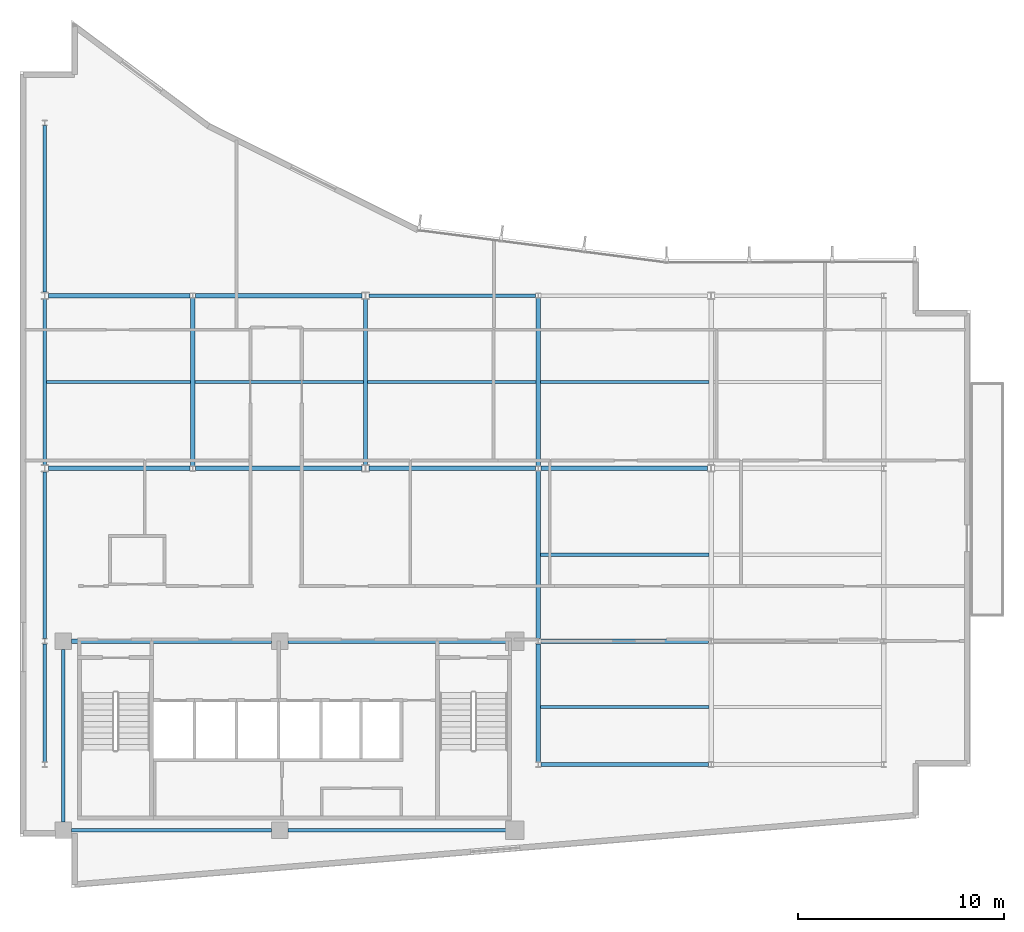
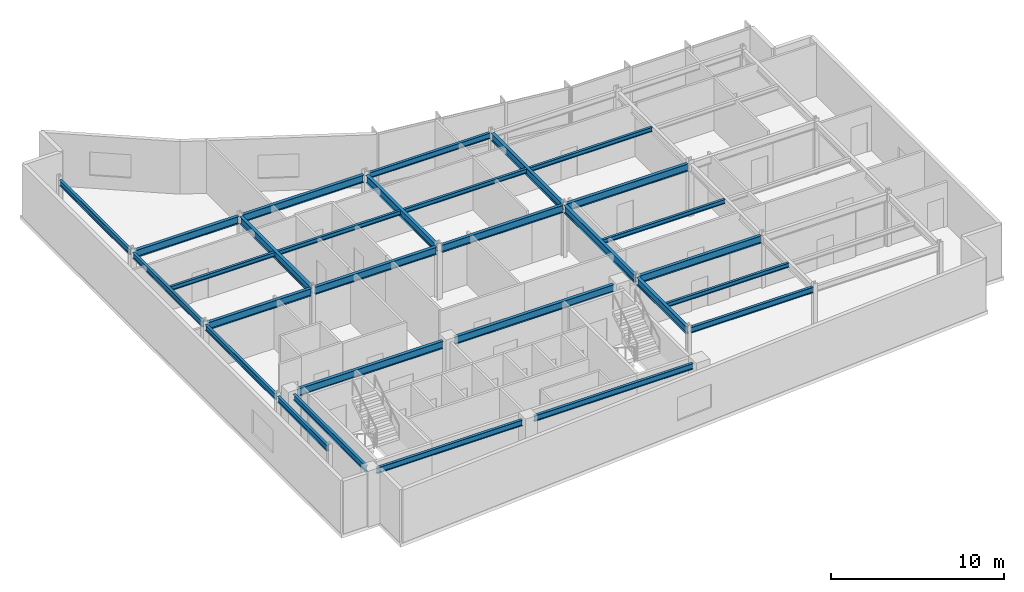
# One storey, part 5 of 15: 29 beams.
"""IFC4 building model written with IfcOpenShell, lengths in metres."""

from ifc_helpers import new_model, si_unit, direction, frame, origin, origin_2d, place, context, subcontext, project, spatial, i_section, extrude, material, material_profile, profile_set, type_object, element, save


model = new_model("IFC4")

# Units and contexts
model_context = context("Model", 3, precision=1e-05, world=origin(), true_north=direction((0.0, 1.0)))
body_context = subcontext(model_context, "Body", "Model", "MODEL_VIEW")
ifc_project = project(units=[si_unit("LENGTHUNIT", "METRE"), si_unit("AREAUNIT", "SQUARE_METRE"), si_unit("VOLUMEUNIT", "CUBIC_METRE"), si_unit("PLANEANGLEUNIT", "RADIAN"), si_unit("MASSUNIT", "GRAM", prefix="KILO")], contexts=[model_context])

# Site, building, storey
site_placement = place(None, origin())
site = spatial("IfcSite", under=ifc_project, at=site_placement, CompositionType="ELEMENT")
building_placement = place(site_placement, origin())
building = spatial("IfcBuilding", under=site, at=building_placement, Name="Varnakote Quay Hospital", CompositionType="ELEMENT")
storey_placement = place(building_placement, frame((0.0, 0.0, 244.699951171875)))
storey = spatial("IfcBuildingStorey", under=building, at=storey_placement, Name="L60", CompositionType="ELEMENT", Elevation=244.699951171875)

# Beams
ifc_material_1 = material(Name="Structural steel AS/NZS 3679.1 Grade 350 L0 (fy 340 MPa)", Category="steel")
ifc_material_profile_1 = material_profile(ifc_material_1, i_section(OverallWidth=0.208984375, OverallDepth=0.528076171875, WebThickness=0.009521484375, FlangeThickness=0.01318359375, FilletRadius=0.013916015625, at=origin_2d()), Name="530UB82.0")
ifc_profile_set_1 = profile_set([ifc_material_profile_1], Name="Structural steel AS/NZS 3679.1 Grade 350 L0 (fy 340 MPa)")
beam_type_1 = type_object("IfcBeamType", Name="BM-STL-530UB82-0", PredefinedType="BEAM", material=ifc_profile_set_1)
beam_1_placement = place(storey_placement, frame((2.5, 12.0, 3.446044921875), z_axis=(1.0, 0.0, 0.0), x_axis=(0.0, 1.0, 0.0)))
element("IfcBeam", 1, at=beam_1_placement, inside=storey, type_object=beam_type_1, Name="L60 Primary Floor Beam", PredefinedType="BEAM", context=body_context, shape_type="SweptSolid", body=[
    extrude(i_section(OverallWidth=0.208984375, OverallDepth=0.528076171875, WebThickness=0.009521484375, FlangeThickness=0.01318359375, FilletRadius=0.013916015625, at=origin_2d()), origin(), (0.0, 0.0, 1.0), 9.719970703125),
])
beam_2_placement = place(storey_placement, frame((13.02001953125, 12.0, 3.446044921875), z_axis=(1.0, 0.0, 0.0), x_axis=(0.0, 1.0, 0.0)))
element("IfcBeam", 2, at=beam_2_placement, inside=storey, type_object=beam_type_1, Name="L60 Primary Floor Beam", PredefinedType="BEAM", context=body_context, shape_type="SweptSolid", body=[
    extrude(i_section(OverallWidth=0.208984375, OverallDepth=0.528076171875, WebThickness=0.009521484375, FlangeThickness=0.01318359375, FilletRadius=0.013916015625, at=origin_2d()), origin(), (0.0, 0.0, 1.0), 10.6298828125),
])
beam_3_placement = place(storey_placement, frame((25.326904296875, 12.0, 3.446044921875), z_axis=(1.0, 0.0, 0.0), x_axis=(0.0, 1.0, 0.0)))
element("IfcBeam", 3, at=beam_3_placement, inside=storey, type_object=beam_type_1, Name="L60 Primary Floor Beam", PredefinedType="BEAM", context=body_context, shape_type="SweptSolid", body=[
    extrude(i_section(OverallWidth=0.208984375, OverallDepth=0.528076171875, WebThickness=0.009521484375, FlangeThickness=0.01318359375, FilletRadius=0.013916015625, at=origin_2d()), origin(), (0.0, 0.0, 1.0), 8.14599609375),
])
beam_4_placement = place(storey_placement, frame((1.375, 20.39990234375, 3.446044921875), z_axis=(1.0, 0.0, 0.0), x_axis=(0.0, 1.0, 0.0)))
element("IfcBeam", 4, at=beam_4_placement, inside=storey, type_object=beam_type_1, Name="L60 Primary Floor Beam", PredefinedType="BEAM", context=body_context, shape_type="SweptSolid", body=[
    extrude(i_section(OverallWidth=0.208984375, OverallDepth=0.528076171875, WebThickness=0.009521484375, FlangeThickness=0.01318359375, FilletRadius=0.013916015625, at=origin_2d()), origin(), (0.0, 0.0, 1.0), 6.89794921875),
])
for number, where, z_axis, x_axis, name in (
    (5, (8.527099609375, 20.39990234375, 3.446044921875), (1.0, 0.0, 0.0), (0.0, 1.0, 0.0), "L60 Primary Floor Beam"),
    (6, (16.97509765625, 20.39990234375, 3.446044921875), (1.0, 0.0, 0.0), (0.0, 1.0, 0.0), "L60 Primary Floor Beam"),
):
    element("IfcBeam", number, at=place(storey_placement, frame(where, z_axis=z_axis, x_axis=x_axis)), inside=storey, type_object=beam_type_1, Name=name, PredefinedType="BEAM", context=body_context, shape_type="SweptSolid", body=[
        extrude(i_section(OverallWidth=0.208984375, OverallDepth=0.528076171875, WebThickness=0.009521484375, FlangeThickness=0.01318359375, FilletRadius=0.013916015625, at=origin_2d()), origin(), (0.0, 0.0, 1.0), 8.097900390625),
    ])
beam_5_placement = place(storey_placement, frame((25.326904296875, 20.39990234375, 3.446044921875), z_axis=(1.0, 0.0, 0.0), x_axis=(0.0, 1.0, 0.0)))
element("IfcBeam", 7, at=beam_5_placement, inside=storey, type_object=beam_type_1, Name="L60 Primary Floor Beam", PredefinedType="BEAM", context=body_context, shape_type="SweptSolid", body=[
    extrude(i_section(OverallWidth=0.208984375, OverallDepth=0.528076171875, WebThickness=0.009521484375, FlangeThickness=0.01318359375, FilletRadius=0.013916015625, at=origin_2d()), origin(), (0.0, 0.0, 1.0), 8.09814453125),
])
beam_6_placement = place(storey_placement, frame((1.375, 28.800048828125, 3.446044921875), z_axis=(1.0, 0.0, 0.0), x_axis=(0.0, 1.0, 0.0)))
element("IfcBeam", 8, at=beam_6_placement, inside=storey, type_object=beam_type_1, Name="L60 Primary Floor Beam", PredefinedType="BEAM", context=body_context, shape_type="SweptSolid", body=[
    extrude(i_section(OverallWidth=0.208984375, OverallDepth=0.528076171875, WebThickness=0.009521484375, FlangeThickness=0.01318359375, FilletRadius=0.013916015625, at=origin_2d()), origin(), (0.0, 0.0, 1.0), 6.89794921875),
])
beam_7_placement = place(storey_placement, frame((8.527099609375, 28.800048828125, 3.446044921875), z_axis=(1.0, 0.0, 0.0), x_axis=(0.0, 1.0, 0.0)))
element("IfcBeam", 9, at=beam_7_placement, inside=storey, type_object=beam_type_1, Name="L60 Primary Floor Beam", PredefinedType="BEAM", context=body_context, shape_type="SweptSolid", body=[
    extrude(i_section(OverallWidth=0.208984375, OverallDepth=0.528076171875, WebThickness=0.009521484375, FlangeThickness=0.01318359375, FilletRadius=0.013916015625, at=origin_2d()), origin(), (0.0, 0.0, 1.0), 8.097900390625),
])
beam_8_placement = place(storey_placement, frame((8.39990234375, 20.527099609375, 3.446044921875), z_axis=(0.0, 1.0, 0.0), x_axis=(-1.0, 0.0, 0.0)))
element("IfcBeam", 10, at=beam_8_placement, inside=storey, type_object=beam_type_1, Name="L60 Primary Tie Beam", PredefinedType="BEAM", context=body_context, shape_type="SweptSolid", body=[
    extrude(i_section(OverallWidth=0.208984375, OverallDepth=0.528076171875, WebThickness=0.009521484375, FlangeThickness=0.01318359375, FilletRadius=0.013916015625, at=origin_2d()), origin(), (0.0, 0.0, 1.0), 8.14599609375),
])
beam_9_placement = place(storey_placement, frame((16.800048828125, 20.570068359375, 3.446044921875), z_axis=(0.0, 1.0, 0.0), x_axis=(-1.0, 0.0, 0.0)))
element("IfcBeam", 11, at=beam_9_placement, inside=storey, type_object=beam_type_1, Name="L60 Primary Tie Beam", PredefinedType="BEAM", context=body_context, shape_type="SweptSolid", body=[
    extrude(i_section(OverallWidth=0.208984375, OverallDepth=0.528076171875, WebThickness=0.009521484375, FlangeThickness=0.01318359375, FilletRadius=0.013916015625, at=origin_2d()), origin(), (0.0, 0.0, 1.0), 8.059814453125),
])
beam_10_placement = place(storey_placement, frame((25.199951171875, 6.126953125, 3.446044921875), z_axis=(0.0, 1.0, 0.0), x_axis=(-1.0, 0.0, 0.0)))
element("IfcBeam", 12, at=beam_10_placement, inside=storey, type_object=beam_type_1, Name="L60 Primary Tie Beam", PredefinedType="BEAM", context=body_context, shape_type="SweptSolid", body=[
    extrude(i_section(OverallWidth=0.208984375, OverallDepth=0.528076171875, WebThickness=0.009521484375, FlangeThickness=0.01318359375, FilletRadius=0.013916015625, at=origin_2d()), origin(), (0.0, 0.0, 1.0), 5.74609375),
])
for number, where, z_axis, x_axis, name in (
    (13, (25.199951171875, 12.126953125, 3.446044921875), (0.0, 1.0, 0.0), (-1.0, 0.0, 0.0), "L60 Primary Tie Beam"),
    (14, (25.199951171875, 20.527099609375, 3.446044921875), (0.0, 1.0, 0.0), (-1.0, 0.0, 0.0), "L60 Primary Tie Beam"),
):
    element("IfcBeam", number, at=place(storey_placement, frame(where, z_axis=z_axis, x_axis=x_axis)), inside=storey, type_object=beam_type_1, Name=name, PredefinedType="BEAM", context=body_context, shape_type="SweptSolid", body=[
        extrude(i_section(OverallWidth=0.208984375, OverallDepth=0.528076171875, WebThickness=0.009521484375, FlangeThickness=0.01318359375, FilletRadius=0.013916015625, at=origin_2d()), origin(), (0.0, 0.0, 1.0), 8.14599609375),
    ])
ifc_material_2 = material(Name="Structural steel AS/NZS 3679.1 Grade 350 L0 (fy 340 MPa)", Category="steel")
ifc_material_profile_2 = material_profile(ifc_material_2, i_section(OverallWidth=0.1650390625, OverallDepth=0.303955078125, WebThickness=0.006103515625, FlangeThickness=0.01025390625, FilletRadius=0.011474609375, at=origin_2d()), Name="310UB40.4")
ifc_profile_set_2 = profile_set([ifc_material_profile_2], Name="Structural steel AS/NZS 3679.1 Grade 350 L0 (fy 340 MPa)")
beam_type_2 = type_object("IfcBeamType", Name="JST-STL-310UB40-4", PredefinedType="JOIST", material=ifc_profile_set_2)
for number, where, z_axis, x_axis, name in (
    (15, (25.304443359375, 8.800048828125, 3.55810546875), (1.0, 0.0, 0.0), (0.0, 1.0, 0.0), "L60 Composite Floor Joist"),
    (16, (25.304443359375, 16.199951171875, 3.55810546875), (1.0, 0.0, 0.0), (0.0, 1.0, 0.0), "L60 Composite Floor Joist"),
):
    element("IfcBeam", number, at=place(storey_placement, frame(where, z_axis=z_axis, x_axis=x_axis)), inside=storey, type_object=beam_type_2, Name=name, PredefinedType="JOIST", context=body_context, shape_type="SweptSolid", body=[
        extrude(i_section(OverallWidth=0.1650390625, OverallDepth=0.303955078125, WebThickness=0.006103515625, FlangeThickness=0.01025390625, FilletRadius=0.011474609375, at=origin_2d()), origin(), (0.0, 0.0, 1.0), 8.191162109375),
    ])
beam_11_placement = place(storey_placement, frame((1.2890625, 24.60009765625, 3.55810546875), z_axis=(1.0, 0.0, 0.0), x_axis=(0.0, 1.0, 0.0)))
element("IfcBeam", 17, at=beam_11_placement, inside=storey, type_object=beam_type_2, Name="L60 Composite Floor Joist", PredefinedType="JOIST", context=body_context, shape_type="SweptSolid", body=[
    extrude(i_section(OverallWidth=0.1650390625, OverallDepth=0.303955078125, WebThickness=0.006103515625, FlangeThickness=0.01025390625, FilletRadius=0.011474609375, at=origin_2d()), origin(), (0.0, 0.0, 1.0), 7.00634765625),
])
beam_12_placement = place(storey_placement, frame((8.50439453125, 24.60009765625, 3.55810546875), z_axis=(1.0, 0.0, 0.0), x_axis=(0.0, 1.0, 0.0)))
element("IfcBeam", 18, at=beam_12_placement, inside=storey, type_object=beam_type_2, Name="L60 Composite Floor Joist", PredefinedType="JOIST", context=body_context, shape_type="SweptSolid", body=[
    extrude(i_section(OverallWidth=0.1650390625, OverallDepth=0.303955078125, WebThickness=0.006103515625, FlangeThickness=0.01025390625, FilletRadius=0.011474609375, at=origin_2d()), origin(), (0.0, 0.0, 1.0), 8.191162109375),
])
beam_13_placement = place(storey_placement, frame((16.904541015625, 24.60009765625, 3.55810546875), z_axis=(1.0, 0.0, 0.0), x_axis=(0.0, 1.0, 0.0)))
element("IfcBeam", 19, at=beam_13_placement, inside=storey, type_object=beam_type_2, Name="L60 Composite Floor Joist", PredefinedType="JOIST", context=body_context, shape_type="SweptSolid", body=[
    extrude(i_section(OverallWidth=0.1650390625, OverallDepth=0.303955078125, WebThickness=0.006103515625, FlangeThickness=0.01025390625, FilletRadius=0.011474609375, at=origin_2d()), origin(), (0.0, 0.0, 1.0), 8.19091796875),
])
beam_14_placement = place(storey_placement, frame((25.304443359375, 24.60009765625, 3.55810546875), z_axis=(1.0, 0.0, 0.0), x_axis=(0.0, 1.0, 0.0)))
element("IfcBeam", 20, at=beam_14_placement, inside=storey, type_object=beam_type_2, Name="L60 Composite Floor Joist", PredefinedType="JOIST", context=body_context, shape_type="SweptSolid", body=[
    extrude(i_section(OverallWidth=0.1650390625, OverallDepth=0.303955078125, WebThickness=0.006103515625, FlangeThickness=0.01025390625, FilletRadius=0.011474609375, at=origin_2d()), origin(), (0.0, 0.0, 1.0), 8.191162109375),
])
ifc_material_3 = material(Name="Structural steel AS/NZS 3679.1 Grade 350 L0 (fy 340 MPa)", Category="steel")
ifc_material_profile_3 = material_profile(ifc_material_3, i_section(OverallWidth=0.177978515625, OverallDepth=0.403076171875, WebThickness=0.007568359375, FlangeThickness=0.010986328125, FilletRadius=0.011474609375, at=origin_2d()), Name="410UB53.7")
ifc_profile_set_3 = profile_set([ifc_material_profile_3], Name="Structural steel AS/NZS 3679.1 Grade 350 L0 (fy 340 MPa)")
beam_type_3 = type_object("IfcBeamType", Name="SPN-STL-410UB53-7", PredefinedType="SPANDREL", material=ifc_profile_set_3)
beam_15_placement = place(storey_placement, frame((1.199951171875, 6.126953125, 3.508544921875), z_axis=(0.0, 1.0, 0.0), x_axis=(-1.0, 0.0, 0.0)))
element("IfcBeam", 21, at=beam_15_placement, inside=storey, type_object=beam_type_3, Name="L60 Perimeter Spandrel Beam", PredefinedType="SPANDREL", context=body_context, shape_type="SweptSolid", body=[
    extrude(i_section(OverallWidth=0.177978515625, OverallDepth=0.403076171875, WebThickness=0.007568359375, FlangeThickness=0.010986328125, FilletRadius=0.011474609375, at=origin_2d()), origin(), (0.0, 0.0, 1.0), 5.74609375),
])
beam_16_placement = place(storey_placement, frame((1.199951171875, 12.126953125, 3.508544921875), z_axis=(0.0, 1.0, 0.0), x_axis=(-1.0, 0.0, 0.0)))
element("IfcBeam", 22, at=beam_16_placement, inside=storey, type_object=beam_type_3, Name="L60 Perimeter Spandrel Beam", PredefinedType="SPANDREL", context=body_context, shape_type="SweptSolid", body=[
    extrude(i_section(OverallWidth=0.177978515625, OverallDepth=0.403076171875, WebThickness=0.007568359375, FlangeThickness=0.010986328125, FilletRadius=0.011474609375, at=origin_2d()), origin(), (0.0, 0.0, 1.0), 8.10302734375),
])
beam_17_placement = place(storey_placement, frame((1.199951171875, 20.570068359375, 3.508544921875), z_axis=(0.0, 1.0, 0.0), x_axis=(-1.0, 0.0, 0.0)))
element("IfcBeam", 23, at=beam_17_placement, inside=storey, type_object=beam_type_3, Name="L60 Perimeter Spandrel Beam", PredefinedType="SPANDREL", context=body_context, shape_type="SweptSolid", body=[
    extrude(i_section(OverallWidth=0.177978515625, OverallDepth=0.403076171875, WebThickness=0.007568359375, FlangeThickness=0.010986328125, FilletRadius=0.011474609375, at=origin_2d()), origin(), (0.0, 0.0, 1.0), 8.059814453125),
])
beam_18_placement = place(storey_placement, frame((1.199951171875, 28.969970703125, 3.508544921875), z_axis=(0.0, 1.0, 0.0), x_axis=(-1.0, 0.0, 0.0)))
element("IfcBeam", 24, at=beam_18_placement, inside=storey, type_object=beam_type_3, Name="L60 Perimeter Spandrel Beam", PredefinedType="SPANDREL", context=body_context, shape_type="SweptSolid", body=[
    extrude(i_section(OverallWidth=0.177978515625, OverallDepth=0.403076171875, WebThickness=0.007568359375, FlangeThickness=0.010986328125, FilletRadius=0.011474609375, at=origin_2d()), origin(), (0.0, 0.0, 1.0), 8.10302734375),
])
beam_19_placement = place(storey_placement, frame((2.10009765625, 3.199951171875, 3.508544921875), z_axis=(0.0, 1.0, 0.0), x_axis=(-1.0, 0.0, 0.0)))
element("IfcBeam", 25, at=beam_19_placement, inside=storey, type_object=beam_type_3, Name="L60 Perimeter Spandrel Beam", PredefinedType="SPANDREL", context=body_context, shape_type="SweptSolid", body=[
    extrude(i_section(OverallWidth=0.177978515625, OverallDepth=0.403076171875, WebThickness=0.007568359375, FlangeThickness=0.010986328125, FilletRadius=0.011474609375, at=origin_2d()), origin(), (0.0, 0.0, 1.0), 8.400146484375),
])
ifc_material_4 = material(Name="Structural steel AS/NZS 3679.1 Grade 350 L0 (fy 340 MPa)", Category="steel")
ifc_material_profile_4 = material_profile(ifc_material_4, i_section(OverallWidth=0.177978515625, OverallDepth=0.406005859375, WebThickness=0.0078125, FlangeThickness=0.0126953125, FilletRadius=0.011474609375, at=origin_2d()), Name="410UB59.7")
ifc_profile_set_4 = profile_set([ifc_material_profile_4], Name="Structural steel AS/NZS 3679.1 Grade 350 L0 (fy 340 MPa)")
beam_type_4 = type_object("IfcBeamType", Name="SPN-STL-410UB59-7", PredefinedType="SPANDREL", material=ifc_profile_set_4)
beam_20_placement = place(storey_placement, frame((2.5, 2.800048828125, 3.507080078125), z_axis=(1.0, 0.0, 0.0), x_axis=(0.0, 1.0, 0.0)))
element("IfcBeam", 26, at=beam_20_placement, inside=storey, type_object=beam_type_4, Name="L60 Perimeter Spandrel Beam", PredefinedType="SPANDREL", context=body_context, shape_type="SweptSolid", body=[
    extrude(i_section(OverallWidth=0.177978515625, OverallDepth=0.406005859375, WebThickness=0.0078125, FlangeThickness=0.0126953125, FilletRadius=0.011474609375, at=origin_2d()), origin(), (0.0, 0.0, 1.0), 9.719970703125),
])
beam_21_placement = place(storey_placement, frame((13.02001953125, 2.800048828125, 3.507080078125), z_axis=(1.0, 0.0, 0.0), x_axis=(0.0, 1.0, 0.0)))
element("IfcBeam", 27, at=beam_21_placement, inside=storey, type_object=beam_type_4, Name="L60 Perimeter Spandrel Beam", PredefinedType="SPANDREL", context=body_context, shape_type="SweptSolid", body=[
    extrude(i_section(OverallWidth=0.177978515625, OverallDepth=0.406005859375, WebThickness=0.0078125, FlangeThickness=0.0126953125, FilletRadius=0.011474609375, at=origin_2d()), origin(), (0.0, 0.0, 1.0), 10.6298828125),
])
beam_22_placement = place(storey_placement, frame((25.326904296875, 6.0, 3.507080078125), z_axis=(1.0, 0.0, 0.0), x_axis=(0.0, 1.0, 0.0)))
element("IfcBeam", 28, at=beam_22_placement, inside=storey, type_object=beam_type_4, Name="L60 Perimeter Spandrel Beam", PredefinedType="SPANDREL", context=body_context, shape_type="SweptSolid", body=[
    extrude(i_section(OverallWidth=0.177978515625, OverallDepth=0.406005859375, WebThickness=0.0078125, FlangeThickness=0.0126953125, FilletRadius=0.011474609375, at=origin_2d()), origin(), (0.0, 0.0, 1.0), 8.14599609375),
])
beam_23_placement = place(storey_placement, frame((16.97509765625, 28.800048828125, 3.507080078125), z_axis=(1.0, 0.0, 0.0), x_axis=(0.0, 1.0, 0.0)))
element("IfcBeam", 29, at=beam_23_placement, inside=storey, type_object=beam_type_4, Name="L60 Perimeter Spandrel Beam", PredefinedType="SPANDREL", context=body_context, shape_type="SweptSolid", body=[
    extrude(i_section(OverallWidth=0.177978515625, OverallDepth=0.406005859375, WebThickness=0.0078125, FlangeThickness=0.0126953125, FilletRadius=0.011474609375, at=origin_2d()), origin(), (0.0, 0.0, 1.0), 8.097900390625),
])

save(model, "model.ifc")
